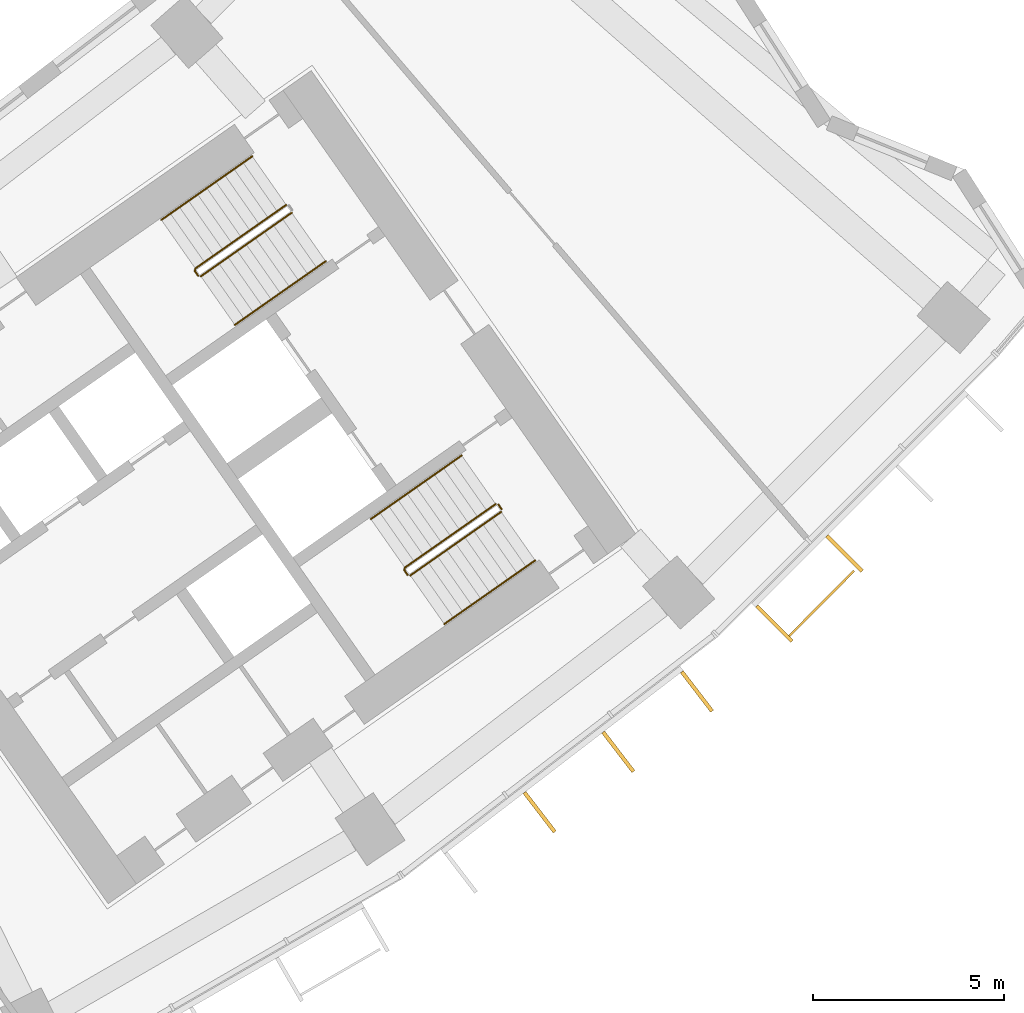
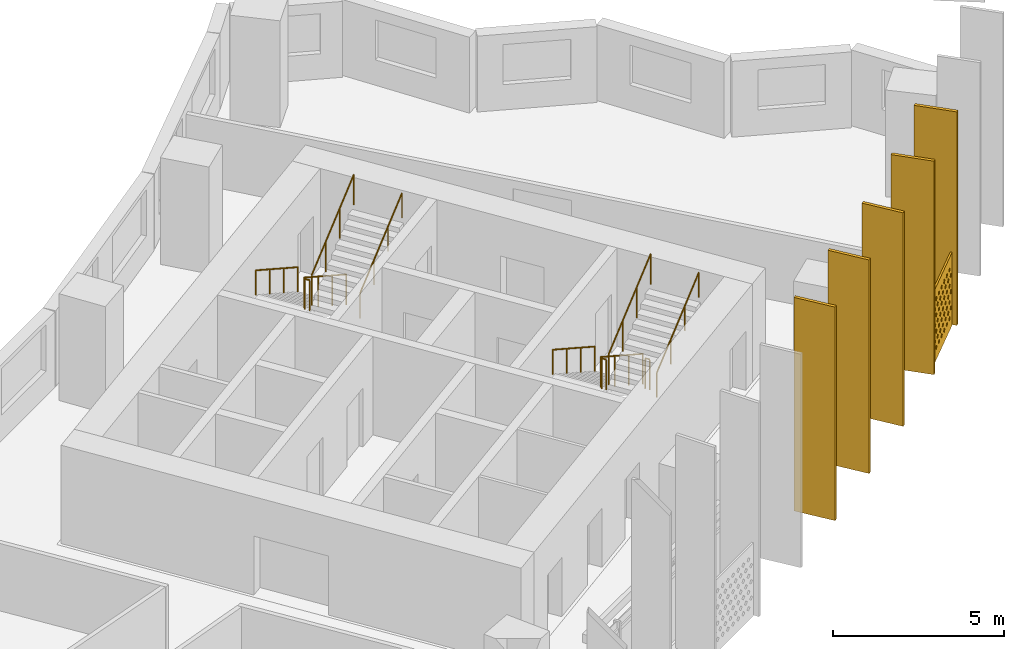
# One storey, part 29 of 30: 9 railings, 6 shading devices.
"""IFC4 building model written with IfcOpenShell, lengths in metres."""

from ifc_helpers import new_model, si_unit, direction, frame, origin, origin_2d, place, context, subcontext, project, spatial, polyline, rectangle, circle, outline, extrude, material, material_profile, profile_set, type_object, element, save


model = new_model("IFC4")

# Units and contexts
model_context = context("Model", 3, precision=1e-05, world=origin(), true_north=direction((0.0, 1.0)))
body_context = subcontext(model_context, "Body", "Model", "MODEL_VIEW")
ifc_project = project(units=[si_unit("LENGTHUNIT", "METRE"), si_unit("AREAUNIT", "SQUARE_METRE"), si_unit("VOLUMEUNIT", "CUBIC_METRE"), si_unit("PLANEANGLEUNIT", "RADIAN"), si_unit("MASSUNIT", "GRAM", prefix="KILO")], contexts=[model_context])

# Site, building, storey
site_placement = place(None, origin())
site = spatial("IfcSite", under=ifc_project, at=site_placement, CompositionType="ELEMENT")
building_placement = place(site_placement, origin())
building = spatial("IfcBuilding", under=site, at=building_placement, Name="Qamariyya Broadcast Tower", CompositionType="ELEMENT")
storey_placement = place(building_placement, frame((0.0, 0.0, 102.5)))
storey = spatial("IfcBuildingStorey", under=building, at=storey_placement, Name="L22", CompositionType="ELEMENT", Elevation=102.5)

# Shading device
ifc_material_1 = material(Name="Perforated glazed terracotta", Category="masonry")
ifc_material_profile_1 = material_profile(ifc_material_1, outline(polyline([(-1.199951171875, -1.300048828125), (1.199951171875, -1.300048828125), (1.199951171875, 1.300048828125), (-1.199951171875, 1.300048828125), (-1.199951171875, -1.300048828125)]), holes=[polyline([(-0.81494140625, -0.86669921875), (-0.89990234375, -0.78173828125), (-0.985107421875, -0.86669921875), (-0.89990234375, -0.95166015625), (-0.81494140625, -0.86669921875)]), polyline([(-0.514892578125, -0.86669921875), (-0.60009765625, -0.78173828125), (-0.68505859375, -0.86669921875), (-0.60009765625, -0.95166015625), (-0.514892578125, -0.86669921875)]), polyline([(-0.215087890625, -0.86669921875), (-0.300048828125, -0.78173828125), (-0.385009765625, -0.86669921875), (-0.300048828125, -0.95166015625), (-0.215087890625, -0.86669921875)]), polyline([(0.0849609375, -0.86669921875), (0.0, -0.78173828125), (-0.0849609375, -0.86669921875), (0.0, -0.95166015625), (0.0849609375, -0.86669921875)]), polyline([(0.385009765625, -0.86669921875), (0.300048828125, -0.78173828125), (0.215087890625, -0.86669921875), (0.300048828125, -0.95166015625), (0.385009765625, -0.86669921875)]), polyline([(0.68505859375, -0.86669921875), (0.60009765625, -0.78173828125), (0.514892578125, -0.86669921875), (0.60009765625, -0.95166015625), (0.68505859375, -0.86669921875)]), polyline([(0.985107421875, -0.86669921875), (0.89990234375, -0.78173828125), (0.81494140625, -0.86669921875), (0.89990234375, -0.95166015625), (0.985107421875, -0.86669921875)]), polyline([(-0.965087890625, -0.577880859375), (-1.050048828125, -0.49267578125), (-1.135009765625, -0.577880859375), (-1.050048828125, -0.662841796875), (-0.965087890625, -0.577880859375)]), polyline([(-0.6650390625, -0.577880859375), (-0.75, -0.49267578125), (-0.8349609375, -0.577880859375), (-0.75, -0.662841796875), (-0.6650390625, -0.577880859375)]), polyline([(-0.364990234375, -0.577880859375), (-0.449951171875, -0.49267578125), (-0.534912109375, -0.577880859375), (-0.449951171875, -0.662841796875), (-0.364990234375, -0.577880859375)]), polyline([(-0.06494140625, -0.577880859375), (-0.14990234375, -0.49267578125), (-0.235107421875, -0.577880859375), (-0.14990234375, -0.662841796875), (-0.06494140625, -0.577880859375)]), polyline([(0.235107421875, -0.577880859375), (0.14990234375, -0.49267578125), (0.06494140625, -0.577880859375), (0.14990234375, -0.662841796875), (0.235107421875, -0.577880859375)]), polyline([(0.534912109375, -0.577880859375), (0.449951171875, -0.49267578125), (0.364990234375, -0.577880859375), (0.449951171875, -0.662841796875), (0.534912109375, -0.577880859375)]), polyline([(0.8349609375, -0.577880859375), (0.75, -0.49267578125), (0.6650390625, -0.577880859375), (0.75, -0.662841796875), (0.8349609375, -0.577880859375)]), polyline([(1.135009765625, -0.577880859375), (1.050048828125, -0.49267578125), (0.965087890625, -0.577880859375), (1.050048828125, -0.662841796875), (1.135009765625, -0.577880859375)]), polyline([(-0.81494140625, -0.288818359375), (-0.89990234375, -0.203857421875), (-0.985107421875, -0.288818359375), (-0.89990234375, -0.373779296875), (-0.81494140625, -0.288818359375)]), polyline([(-0.514892578125, -0.288818359375), (-0.60009765625, -0.203857421875), (-0.68505859375, -0.288818359375), (-0.60009765625, -0.373779296875), (-0.514892578125, -0.288818359375)]), polyline([(-0.215087890625, -0.288818359375), (-0.300048828125, -0.203857421875), (-0.385009765625, -0.288818359375), (-0.300048828125, -0.373779296875), (-0.215087890625, -0.288818359375)]), polyline([(0.0849609375, -0.288818359375), (0.0, -0.203857421875), (-0.0849609375, -0.288818359375), (0.0, -0.373779296875), (0.0849609375, -0.288818359375)]), polyline([(0.385009765625, -0.288818359375), (0.300048828125, -0.203857421875), (0.215087890625, -0.288818359375), (0.300048828125, -0.373779296875), (0.385009765625, -0.288818359375)]), polyline([(0.68505859375, -0.288818359375), (0.60009765625, -0.203857421875), (0.514892578125, -0.288818359375), (0.60009765625, -0.373779296875), (0.68505859375, -0.288818359375)]), polyline([(0.985107421875, -0.288818359375), (0.89990234375, -0.203857421875), (0.81494140625, -0.288818359375), (0.89990234375, -0.373779296875), (0.985107421875, -0.288818359375)]), polyline([(-0.965087890625, 0.0), (-1.050048828125, 0.0849609375), (-1.135009765625, 0.0), (-1.050048828125, -0.0849609375), (-0.965087890625, 0.0)]), polyline([(-0.6650390625, 0.0), (-0.75, 0.0849609375), (-0.8349609375, 0.0), (-0.75, -0.0849609375), (-0.6650390625, 0.0)]), polyline([(-0.364990234375, 0.0), (-0.449951171875, 0.0849609375), (-0.534912109375, 0.0), (-0.449951171875, -0.0849609375), (-0.364990234375, 0.0)]), polyline([(-0.06494140625, 0.0), (-0.14990234375, 0.0849609375), (-0.235107421875, 0.0), (-0.14990234375, -0.0849609375), (-0.06494140625, 0.0)]), polyline([(0.235107421875, 0.0), (0.14990234375, 0.0849609375), (0.06494140625, 0.0), (0.14990234375, -0.0849609375), (0.235107421875, 0.0)]), polyline([(0.534912109375, 0.0), (0.449951171875, 0.0849609375), (0.364990234375, 0.0), (0.449951171875, -0.0849609375), (0.534912109375, 0.0)]), polyline([(0.8349609375, 0.0), (0.75, 0.0849609375), (0.6650390625, 0.0), (0.75, -0.0849609375), (0.8349609375, 0.0)]), polyline([(1.135009765625, 0.0), (1.050048828125, 0.0849609375), (0.965087890625, 0.0), (1.050048828125, -0.0849609375), (1.135009765625, 0.0)]), polyline([(-0.81494140625, 0.288818359375), (-0.89990234375, 0.373779296875), (-0.985107421875, 0.288818359375), (-0.89990234375, 0.203857421875), (-0.81494140625, 0.288818359375)]), polyline([(-0.514892578125, 0.288818359375), (-0.60009765625, 0.373779296875), (-0.68505859375, 0.288818359375), (-0.60009765625, 0.203857421875), (-0.514892578125, 0.288818359375)]), polyline([(-0.215087890625, 0.288818359375), (-0.300048828125, 0.373779296875), (-0.385009765625, 0.288818359375), (-0.300048828125, 0.203857421875), (-0.215087890625, 0.288818359375)]), polyline([(0.0849609375, 0.288818359375), (0.0, 0.373779296875), (-0.0849609375, 0.288818359375), (0.0, 0.203857421875), (0.0849609375, 0.288818359375)]), polyline([(0.385009765625, 0.288818359375), (0.300048828125, 0.373779296875), (0.215087890625, 0.288818359375), (0.300048828125, 0.203857421875), (0.385009765625, 0.288818359375)]), polyline([(0.68505859375, 0.288818359375), (0.60009765625, 0.373779296875), (0.514892578125, 0.288818359375), (0.60009765625, 0.203857421875), (0.68505859375, 0.288818359375)]), polyline([(0.985107421875, 0.288818359375), (0.89990234375, 0.373779296875), (0.81494140625, 0.288818359375), (0.89990234375, 0.203857421875), (0.985107421875, 0.288818359375)]), polyline([(-0.965087890625, 0.577880859375), (-1.050048828125, 0.662841796875), (-1.135009765625, 0.577880859375), (-1.050048828125, 0.49267578125), (-0.965087890625, 0.577880859375)]), polyline([(-0.6650390625, 0.577880859375), (-0.75, 0.662841796875), (-0.8349609375, 0.577880859375), (-0.75, 0.49267578125), (-0.6650390625, 0.577880859375)]), polyline([(-0.364990234375, 0.577880859375), (-0.449951171875, 0.662841796875), (-0.534912109375, 0.577880859375), (-0.449951171875, 0.49267578125), (-0.364990234375, 0.577880859375)]), polyline([(-0.06494140625, 0.577880859375), (-0.14990234375, 0.662841796875), (-0.235107421875, 0.577880859375), (-0.14990234375, 0.49267578125), (-0.06494140625, 0.577880859375)]), polyline([(0.235107421875, 0.577880859375), (0.14990234375, 0.662841796875), (0.06494140625, 0.577880859375), (0.14990234375, 0.49267578125), (0.235107421875, 0.577880859375)]), polyline([(0.534912109375, 0.577880859375), (0.449951171875, 0.662841796875), (0.364990234375, 0.577880859375), (0.449951171875, 0.49267578125), (0.534912109375, 0.577880859375)]), polyline([(0.8349609375, 0.577880859375), (0.75, 0.662841796875), (0.6650390625, 0.577880859375), (0.75, 0.49267578125), (0.8349609375, 0.577880859375)]), polyline([(1.135009765625, 0.577880859375), (1.050048828125, 0.662841796875), (0.965087890625, 0.577880859375), (1.050048828125, 0.49267578125), (1.135009765625, 0.577880859375)]), polyline([(-0.81494140625, 0.86669921875), (-0.89990234375, 0.95166015625), (-0.985107421875, 0.86669921875), (-0.89990234375, 0.78173828125), (-0.81494140625, 0.86669921875)]), polyline([(-0.514892578125, 0.86669921875), (-0.60009765625, 0.95166015625), (-0.68505859375, 0.86669921875), (-0.60009765625, 0.78173828125), (-0.514892578125, 0.86669921875)]), polyline([(-0.215087890625, 0.86669921875), (-0.300048828125, 0.95166015625), (-0.385009765625, 0.86669921875), (-0.300048828125, 0.78173828125), (-0.215087890625, 0.86669921875)]), polyline([(0.0849609375, 0.86669921875), (0.0, 0.95166015625), (-0.0849609375, 0.86669921875), (0.0, 0.78173828125), (0.0849609375, 0.86669921875)]), polyline([(0.385009765625, 0.86669921875), (0.300048828125, 0.95166015625), (0.215087890625, 0.86669921875), (0.300048828125, 0.78173828125), (0.385009765625, 0.86669921875)]), polyline([(0.68505859375, 0.86669921875), (0.60009765625, 0.95166015625), (0.514892578125, 0.86669921875), (0.60009765625, 0.78173828125), (0.68505859375, 0.86669921875)]), polyline([(0.985107421875, 0.86669921875), (0.89990234375, 0.95166015625), (0.81494140625, 0.86669921875), (0.89990234375, 0.78173828125), (0.985107421875, 0.86669921875)])]))
ifc_profile_set_1 = profile_set([ifc_material_profile_1], Name="Perforated glazed terracotta")
shading_device_type_1 = type_object("IfcShadingDeviceType", Name="Perforated terracotta screen 2400 x 2600", PredefinedType="USERDEFINED", material=ifc_profile_set_1)
shading_device_placement = place(storey_placement, frame((54.98486328125, -58.71826171875, 1.35009765625), z_axis=(0.709141608176, -0.705066081692, 0.0), x_axis=(0.705066081692, 0.709141608176, 0.0)))
element("IfcShadingDevice", 1, at=shading_device_placement, inside=storey, type_object=shading_device_type_1, Name="e-scr-L22-15-0", ObjectType="SCREEN", PredefinedType="USERDEFINED", context=body_context, shape_type="SweptSolid", body=[
    extrude(outline(polyline([(-1.199951171875, -1.300048828125), (1.199951171875, -1.300048828125), (1.199951171875, 1.300048828125), (-1.199951171875, 1.300048828125), (-1.199951171875, -1.300048828125)]), holes=[polyline([(-0.81494140625, -0.86669921875), (-0.89990234375, -0.78173828125), (-0.985107421875, -0.86669921875), (-0.89990234375, -0.95166015625), (-0.81494140625, -0.86669921875)]), polyline([(-0.514892578125, -0.86669921875), (-0.60009765625, -0.78173828125), (-0.68505859375, -0.86669921875), (-0.60009765625, -0.95166015625), (-0.514892578125, -0.86669921875)]), polyline([(-0.215087890625, -0.86669921875), (-0.300048828125, -0.78173828125), (-0.385009765625, -0.86669921875), (-0.300048828125, -0.95166015625), (-0.215087890625, -0.86669921875)]), polyline([(0.0849609375, -0.86669921875), (0.0, -0.78173828125), (-0.0849609375, -0.86669921875), (0.0, -0.95166015625), (0.0849609375, -0.86669921875)]), polyline([(0.385009765625, -0.86669921875), (0.300048828125, -0.78173828125), (0.215087890625, -0.86669921875), (0.300048828125, -0.95166015625), (0.385009765625, -0.86669921875)]), polyline([(0.68505859375, -0.86669921875), (0.60009765625, -0.78173828125), (0.514892578125, -0.86669921875), (0.60009765625, -0.95166015625), (0.68505859375, -0.86669921875)]), polyline([(0.985107421875, -0.86669921875), (0.89990234375, -0.78173828125), (0.81494140625, -0.86669921875), (0.89990234375, -0.95166015625), (0.985107421875, -0.86669921875)]), polyline([(-0.965087890625, -0.577880859375), (-1.050048828125, -0.49267578125), (-1.135009765625, -0.577880859375), (-1.050048828125, -0.662841796875), (-0.965087890625, -0.577880859375)]), polyline([(-0.6650390625, -0.577880859375), (-0.75, -0.49267578125), (-0.8349609375, -0.577880859375), (-0.75, -0.662841796875), (-0.6650390625, -0.577880859375)]), polyline([(-0.364990234375, -0.577880859375), (-0.449951171875, -0.49267578125), (-0.534912109375, -0.577880859375), (-0.449951171875, -0.662841796875), (-0.364990234375, -0.577880859375)]), polyline([(-0.06494140625, -0.577880859375), (-0.14990234375, -0.49267578125), (-0.235107421875, -0.577880859375), (-0.14990234375, -0.662841796875), (-0.06494140625, -0.577880859375)]), polyline([(0.235107421875, -0.577880859375), (0.14990234375, -0.49267578125), (0.06494140625, -0.577880859375), (0.14990234375, -0.662841796875), (0.235107421875, -0.577880859375)]), polyline([(0.534912109375, -0.577880859375), (0.449951171875, -0.49267578125), (0.364990234375, -0.577880859375), (0.449951171875, -0.662841796875), (0.534912109375, -0.577880859375)]), polyline([(0.8349609375, -0.577880859375), (0.75, -0.49267578125), (0.6650390625, -0.577880859375), (0.75, -0.662841796875), (0.8349609375, -0.577880859375)]), polyline([(1.135009765625, -0.577880859375), (1.050048828125, -0.49267578125), (0.965087890625, -0.577880859375), (1.050048828125, -0.662841796875), (1.135009765625, -0.577880859375)]), polyline([(-0.81494140625, -0.288818359375), (-0.89990234375, -0.203857421875), (-0.985107421875, -0.288818359375), (-0.89990234375, -0.373779296875), (-0.81494140625, -0.288818359375)]), polyline([(-0.514892578125, -0.288818359375), (-0.60009765625, -0.203857421875), (-0.68505859375, -0.288818359375), (-0.60009765625, -0.373779296875), (-0.514892578125, -0.288818359375)]), polyline([(-0.215087890625, -0.288818359375), (-0.300048828125, -0.203857421875), (-0.385009765625, -0.288818359375), (-0.300048828125, -0.373779296875), (-0.215087890625, -0.288818359375)]), polyline([(0.0849609375, -0.288818359375), (0.0, -0.203857421875), (-0.0849609375, -0.288818359375), (0.0, -0.373779296875), (0.0849609375, -0.288818359375)]), polyline([(0.385009765625, -0.288818359375), (0.300048828125, -0.203857421875), (0.215087890625, -0.288818359375), (0.300048828125, -0.373779296875), (0.385009765625, -0.288818359375)]), polyline([(0.68505859375, -0.288818359375), (0.60009765625, -0.203857421875), (0.514892578125, -0.288818359375), (0.60009765625, -0.373779296875), (0.68505859375, -0.288818359375)]), polyline([(0.985107421875, -0.288818359375), (0.89990234375, -0.203857421875), (0.81494140625, -0.288818359375), (0.89990234375, -0.373779296875), (0.985107421875, -0.288818359375)]), polyline([(-0.965087890625, 0.0), (-1.050048828125, 0.0849609375), (-1.135009765625, 0.0), (-1.050048828125, -0.0849609375), (-0.965087890625, 0.0)]), polyline([(-0.6650390625, 0.0), (-0.75, 0.0849609375), (-0.8349609375, 0.0), (-0.75, -0.0849609375), (-0.6650390625, 0.0)]), polyline([(-0.364990234375, 0.0), (-0.449951171875, 0.0849609375), (-0.534912109375, 0.0), (-0.449951171875, -0.0849609375), (-0.364990234375, 0.0)]), polyline([(-0.06494140625, 0.0), (-0.14990234375, 0.0849609375), (-0.235107421875, 0.0), (-0.14990234375, -0.0849609375), (-0.06494140625, 0.0)]), polyline([(0.235107421875, 0.0), (0.14990234375, 0.0849609375), (0.06494140625, 0.0), (0.14990234375, -0.0849609375), (0.235107421875, 0.0)]), polyline([(0.534912109375, 0.0), (0.449951171875, 0.0849609375), (0.364990234375, 0.0), (0.449951171875, -0.0849609375), (0.534912109375, 0.0)]), polyline([(0.8349609375, 0.0), (0.75, 0.0849609375), (0.6650390625, 0.0), (0.75, -0.0849609375), (0.8349609375, 0.0)]), polyline([(1.135009765625, 0.0), (1.050048828125, 0.0849609375), (0.965087890625, 0.0), (1.050048828125, -0.0849609375), (1.135009765625, 0.0)]), polyline([(-0.81494140625, 0.288818359375), (-0.89990234375, 0.373779296875), (-0.985107421875, 0.288818359375), (-0.89990234375, 0.203857421875), (-0.81494140625, 0.288818359375)]), polyline([(-0.514892578125, 0.288818359375), (-0.60009765625, 0.373779296875), (-0.68505859375, 0.288818359375), (-0.60009765625, 0.203857421875), (-0.514892578125, 0.288818359375)]), polyline([(-0.215087890625, 0.288818359375), (-0.300048828125, 0.373779296875), (-0.385009765625, 0.288818359375), (-0.300048828125, 0.203857421875), (-0.215087890625, 0.288818359375)]), polyline([(0.0849609375, 0.288818359375), (0.0, 0.373779296875), (-0.0849609375, 0.288818359375), (0.0, 0.203857421875), (0.0849609375, 0.288818359375)]), polyline([(0.385009765625, 0.288818359375), (0.300048828125, 0.373779296875), (0.215087890625, 0.288818359375), (0.300048828125, 0.203857421875), (0.385009765625, 0.288818359375)]), polyline([(0.68505859375, 0.288818359375), (0.60009765625, 0.373779296875), (0.514892578125, 0.288818359375), (0.60009765625, 0.203857421875), (0.68505859375, 0.288818359375)]), polyline([(0.985107421875, 0.288818359375), (0.89990234375, 0.373779296875), (0.81494140625, 0.288818359375), (0.89990234375, 0.203857421875), (0.985107421875, 0.288818359375)]), polyline([(-0.965087890625, 0.577880859375), (-1.050048828125, 0.662841796875), (-1.135009765625, 0.577880859375), (-1.050048828125, 0.49267578125), (-0.965087890625, 0.577880859375)]), polyline([(-0.6650390625, 0.577880859375), (-0.75, 0.662841796875), (-0.8349609375, 0.577880859375), (-0.75, 0.49267578125), (-0.6650390625, 0.577880859375)]), polyline([(-0.364990234375, 0.577880859375), (-0.449951171875, 0.662841796875), (-0.534912109375, 0.577880859375), (-0.449951171875, 0.49267578125), (-0.364990234375, 0.577880859375)]), polyline([(-0.06494140625, 0.577880859375), (-0.14990234375, 0.662841796875), (-0.235107421875, 0.577880859375), (-0.14990234375, 0.49267578125), (-0.06494140625, 0.577880859375)]), polyline([(0.235107421875, 0.577880859375), (0.14990234375, 0.662841796875), (0.06494140625, 0.577880859375), (0.14990234375, 0.49267578125), (0.235107421875, 0.577880859375)]), polyline([(0.534912109375, 0.577880859375), (0.449951171875, 0.662841796875), (0.364990234375, 0.577880859375), (0.449951171875, 0.49267578125), (0.534912109375, 0.577880859375)]), polyline([(0.8349609375, 0.577880859375), (0.75, 0.662841796875), (0.6650390625, 0.577880859375), (0.75, 0.49267578125), (0.8349609375, 0.577880859375)]), polyline([(1.135009765625, 0.577880859375), (1.050048828125, 0.662841796875), (0.965087890625, 0.577880859375), (1.050048828125, 0.49267578125), (1.135009765625, 0.577880859375)]), polyline([(-0.81494140625, 0.86669921875), (-0.89990234375, 0.95166015625), (-0.985107421875, 0.86669921875), (-0.89990234375, 0.78173828125), (-0.81494140625, 0.86669921875)]), polyline([(-0.514892578125, 0.86669921875), (-0.60009765625, 0.95166015625), (-0.68505859375, 0.86669921875), (-0.60009765625, 0.78173828125), (-0.514892578125, 0.86669921875)]), polyline([(-0.215087890625, 0.86669921875), (-0.300048828125, 0.95166015625), (-0.385009765625, 0.86669921875), (-0.300048828125, 0.78173828125), (-0.215087890625, 0.86669921875)]), polyline([(0.0849609375, 0.86669921875), (0.0, 0.95166015625), (-0.0849609375, 0.86669921875), (0.0, 0.78173828125), (0.0849609375, 0.86669921875)]), polyline([(0.385009765625, 0.86669921875), (0.300048828125, 0.95166015625), (0.215087890625, 0.86669921875), (0.300048828125, 0.78173828125), (0.385009765625, 0.86669921875)]), polyline([(0.68505859375, 0.86669921875), (0.60009765625, 0.95166015625), (0.514892578125, 0.86669921875), (0.60009765625, 0.78173828125), (0.68505859375, 0.86669921875)]), polyline([(0.985107421875, 0.86669921875), (0.89990234375, 0.95166015625), (0.81494140625, 0.86669921875), (0.89990234375, 0.78173828125), (0.985107421875, 0.86669921875)])]), origin(), (0.0, 0.0, 1.0), 0.059814453125),
])

# Railings
ifc_material_2 = material(Name="Painted steel", Category="steel")
railing_type_1 = type_object("IfcRailingType", Name="Stair guard", PredefinedType="GUARDRAIL", material=ifc_material_2)
railing_1_placement = place(storey_placement, frame((41.003173828125, -48.320068359375, 0.172607421875)))
element("IfcRailing", 2, at=railing_1_placement, inside=storey, type_object=railing_type_1, Name="L22 ST-E2 stair guard 1", PredefinedType="GUARDRAIL", context=body_context, shape_type="SweptSolid", body=[
    extrude(circle(Radius=0.02392578125, at=origin_2d()), frame((0.0, 0.0, 1.076171875), z_axis=(-0.703770094002, -0.492783725636, 0.511734163933), x_axis=(0.573575343427, -0.819152809562, 0.0)), (0.0, 0.0, 1.0), 3.37548828125),
    extrude(circle(Radius=0.02392578125, at=origin_2d()), frame((-2.37548828125, -1.663330078125, 2.80322265625), z_axis=(-0.172799478008, -0.984957024646, 0.0), x_axis=(0.984957024646, -0.172799478008, 0.0)), (0.0, 0.0, 1.0), 0.070556640625),
    extrude(circle(Radius=0.02392578125, at=origin_2d()), frame((-2.3876953125, -1.73291015625, 2.80322265625), z_axis=(0.572588637393, -0.819842821722, 0.0), x_axis=(0.819842821722, 0.572588637393, 0.0)), (0.0, 0.0, 1.0), 0.150146484375),
    extrude(circle(Radius=0.02099609375, at=origin_2d()), origin(), (0.0, 0.0, 1.0), 1.052001953125),
    extrude(circle(Radius=0.02099609375, at=origin_2d()), frame((-0.791748046875, -0.554443359375, 0.57568359375)), (0.0, 0.0, 1.0), 1.052001953125),
    extrude(circle(Radius=0.02099609375, at=origin_2d()), frame((-1.583740234375, -1.10888671875, 1.151611328125)), (0.0, 0.0, 1.0), 1.052001953125),
    extrude(circle(Radius=0.02099609375, at=origin_2d()), frame((-2.37548828125, -1.663330078125, 1.727294921875)), (0.0, 0.0, 1.0), 1.052001953125),
    extrude(circle(Radius=0.02099609375, at=origin_2d()), frame((-2.3876953125, -1.73291015625, 1.727294921875)), (0.0, 0.0, 1.0), 1.052001953125),
    extrude(circle(Radius=0.02099609375, at=origin_2d()), frame((-2.3017578125, -1.85595703125, 1.727294921875)), (0.0, 0.0, 1.0), 1.052001953125),
])
railing_2_placement = place(storey_placement, frame((38.771240234375, -50.188232421875, 2.07275390625)))
element("IfcRailing", 3, at=railing_2_placement, inside=storey, type_object=railing_type_1, Name="L22 ST-E2 stair guard 2", PredefinedType="GUARDRAIL", context=body_context, shape_type="SweptSolid", body=[
    extrude(circle(Radius=0.02392578125, at=origin_2d()), frame((0.0, 0.0, 1.076171875), z_axis=(0.703770094002, 0.492783725636, 0.511734163933), x_axis=(-0.573575343427, 0.819152809562, 0.0)), (0.0, 0.0, 1.0), 3.37548828125),
    extrude(circle(Radius=0.02099609375, at=origin_2d()), origin(), (0.0, 0.0, 1.0), 1.052001953125),
    extrude(circle(Radius=0.02099609375, at=origin_2d()), frame((0.791748046875, 0.554443359375, 0.57568359375)), (0.0, 0.0, 1.0), 1.052001953125),
    extrude(circle(Radius=0.02099609375, at=origin_2d()), frame((1.583740234375, 1.10888671875, 1.151611328125)), (0.0, 0.0, 1.0), 1.052001953125),
    extrude(circle(Radius=0.02099609375, at=origin_2d()), frame((2.37548828125, 1.663330078125, 1.727294921875)), (0.0, 0.0, 1.0), 1.052001953125),
])
railing_3_placement = place(storey_placement, frame((46.48095703125, -56.14306640625, 0.172607421875)))
element("IfcRailing", 4, at=railing_3_placement, inside=storey, type_object=railing_type_1, Name="L22 ST-E1 stair guard 1", PredefinedType="GUARDRAIL", context=body_context, shape_type="SweptSolid", body=[
    extrude(circle(Radius=0.02392578125, at=origin_2d()), frame((0.0, 0.0, 1.076171875), z_axis=(-0.703770094002, -0.492783725636, 0.511734163933), x_axis=(0.573575343427, -0.819152809562, 0.0)), (0.0, 0.0, 1.0), 3.37548828125),
    extrude(circle(Radius=0.02392578125, at=origin_2d()), frame((-2.37548828125, -1.663330078125, 2.80322265625), z_axis=(-0.176149252506, -0.984363469884, 0.0), x_axis=(0.984363469884, -0.176149252506, 0.0)), (0.0, 0.0, 1.0), 0.07080078125),
    extrude(circle(Radius=0.02392578125, at=origin_2d()), frame((-2.387939453125, -1.73291015625, 2.80322265625), z_axis=(0.574444878118, -0.818543268254, 0.0), x_axis=(0.818543268254, 0.574444878118, 0.0)), (0.0, 0.0, 1.0), 0.150146484375),
    extrude(circle(Radius=0.02099609375, at=origin_2d()), origin(), (0.0, 0.0, 1.0), 1.052001953125),
    extrude(circle(Radius=0.02099609375, at=origin_2d()), frame((-0.791748046875, -0.554443359375, 0.57568359375)), (0.0, 0.0, 1.0), 1.052001953125),
    extrude(circle(Radius=0.02099609375, at=origin_2d()), frame((-1.583740234375, -1.10888671875, 1.151611328125)), (0.0, 0.0, 1.0), 1.052001953125),
    extrude(circle(Radius=0.02099609375, at=origin_2d()), frame((-2.37548828125, -1.663330078125, 1.727294921875)), (0.0, 0.0, 1.0), 1.052001953125),
    extrude(circle(Radius=0.02099609375, at=origin_2d()), frame((-2.387939453125, -1.73291015625, 1.727294921875)), (0.0, 0.0, 1.0), 1.052001953125),
    extrude(circle(Radius=0.02099609375, at=origin_2d()), frame((-2.3017578125, -1.855712890625, 1.727294921875)), (0.0, 0.0, 1.0), 1.052001953125),
])
railing_4_placement = place(storey_placement, frame((44.248779296875, -58.01123046875, 2.07275390625)))
element("IfcRailing", 5, at=railing_4_placement, inside=storey, type_object=railing_type_1, Name="L22 ST-E1 stair guard 2", PredefinedType="GUARDRAIL", context=body_context, shape_type="SweptSolid", body=[
    extrude(circle(Radius=0.02392578125, at=origin_2d()), frame((0.0, 0.0, 1.076171875), z_axis=(0.703745009021, 0.492838488332, 0.511715923826), x_axis=(-0.573631830683, 0.819113253969, 0.0)), (0.0, 0.0, 1.0), 3.37548828125),
    extrude(circle(Radius=0.02099609375, at=origin_2d()), origin(), (0.0, 0.0, 1.0), 1.052001953125),
    extrude(circle(Radius=0.02099609375, at=origin_2d()), frame((0.791748046875, 0.554443359375, 0.57568359375)), (0.0, 0.0, 1.0), 1.052001953125),
    extrude(circle(Radius=0.02099609375, at=origin_2d()), frame((1.583740234375, 1.109130859375, 1.151611328125)), (0.0, 0.0, 1.0), 1.052001953125),
    extrude(circle(Radius=0.02099609375, at=origin_2d()), frame((2.37548828125, 1.66357421875, 1.727294921875)), (0.0, 0.0, 1.0), 1.052001953125),
])
railing_5_placement = place(storey_placement, frame((46.550537109375, -56.1552734375, 0.0)))
element("IfcRailing", 6, at=railing_5_placement, inside=storey, type_object=railing_type_1, Name="L22 ST-E1 stair guard 3", PredefinedType="GUARDRAIL", context=body_context, shape_type="SweptSolid", body=[
    extrude(circle(Radius=0.02392578125, at=origin_2d()), frame((0.0, 0.0, 1.076171875), z_axis=(0.574444878118, -0.818543268254, 0.0), x_axis=(0.818543268254, 0.574444878118, 0.0)), (0.0, 0.0, 1.0), 0.150146484375),
    extrude(circle(Radius=0.02099609375, at=origin_2d()), origin(), (0.0, 0.0, 1.0), 1.052001953125),
    extrude(circle(Radius=0.02099609375, at=origin_2d()), frame((0.086181640625, -0.122802734375, 0.0)), (0.0, 0.0, 1.0), 1.052001953125),
])
ifc_material_3 = material(Name="Stainless steel", Category="steel")
railing_type_2 = type_object("IfcRailingType", Name="Stair handrail", PredefinedType="HANDRAIL", material=ifc_material_3)
railing_6_placement = place(storey_placement, frame((40.1142578125, -47.05029296875, 0.172607421875)))
element("IfcRailing", 7, at=railing_6_placement, inside=storey, type_object=railing_type_2, Name="L22 ST-E2 stair handrail 1", PredefinedType="HANDRAIL", context=body_context, shape_type="SweptSolid", body=[
    extrude(circle(Radius=0.02392578125, at=origin_2d()), frame((0.0, 0.0, 0.8759765625), z_axis=(-0.703745009021, -0.492838488332, 0.511715923826), x_axis=(0.573631830683, -0.819113253969, 0.0)), (0.0, 0.0, 1.0), 3.37548828125),
    extrude(circle(Radius=0.02099609375, at=origin_2d()), origin(), (0.0, 0.0, 1.0), 0.851806640625),
    extrude(circle(Radius=0.02099609375, at=origin_2d()), frame((-0.791748046875, -0.554443359375, 0.57568359375)), (0.0, 0.0, 1.0), 0.851806640625),
    extrude(circle(Radius=0.02099609375, at=origin_2d()), frame((-1.583740234375, -1.109130859375, 1.151611328125)), (0.0, 0.0, 1.0), 0.851806640625),
    extrude(circle(Radius=0.02099609375, at=origin_2d()), frame((-2.37548828125, -1.66357421875, 1.727294921875)), (0.0, 0.0, 1.0), 0.851806640625),
])
railing_7_placement = place(storey_placement, frame((39.66015625, -51.4580078125, 2.07275390625)))
element("IfcRailing", 8, at=railing_7_placement, inside=storey, type_object=railing_type_2, Name="L22 ST-E2 stair handrail 2", PredefinedType="HANDRAIL", context=body_context, shape_type="SweptSolid", body=[
    extrude(circle(Radius=0.02392578125, at=origin_2d()), frame((0.0, 0.0, 0.8759765625), z_axis=(0.703745009021, 0.492838488332, 0.511715923826), x_axis=(-0.573631830683, 0.819113253969, 0.0)), (0.0, 0.0, 1.0), 3.37548828125),
    extrude(circle(Radius=0.02099609375, at=origin_2d()), origin(), (0.0, 0.0, 1.0), 0.851806640625),
    extrude(circle(Radius=0.02099609375, at=origin_2d()), frame((0.791748046875, 0.554443359375, 0.57568359375)), (0.0, 0.0, 1.0), 0.851806640625),
    extrude(circle(Radius=0.02099609375, at=origin_2d()), frame((1.583740234375, 1.109130859375, 1.151611328125)), (0.0, 0.0, 1.0), 0.851806640625),
    extrude(circle(Radius=0.02099609375, at=origin_2d()), frame((2.37548828125, 1.66357421875, 1.727294921875)), (0.0, 0.0, 1.0), 0.851806640625),
])
railing_8_placement = place(storey_placement, frame((45.591796875, -54.873291015625, 0.172607421875)))
element("IfcRailing", 9, at=railing_8_placement, inside=storey, type_object=railing_type_2, Name="L22 ST-E1 stair handrail 1", PredefinedType="HANDRAIL", context=body_context, shape_type="SweptSolid", body=[
    extrude(circle(Radius=0.02392578125, at=origin_2d()), frame((0.0, 0.0, 0.8759765625), z_axis=(-0.703770094002, -0.492783725636, 0.511734163933), x_axis=(0.573575343427, -0.819152809562, 0.0)), (0.0, 0.0, 1.0), 3.37548828125),
    extrude(circle(Radius=0.02099609375, at=origin_2d()), origin(), (0.0, 0.0, 1.0), 0.851806640625),
    extrude(circle(Radius=0.02099609375, at=origin_2d()), frame((-0.791748046875, -0.554443359375, 0.57568359375)), (0.0, 0.0, 1.0), 0.851806640625),
    extrude(circle(Radius=0.02099609375, at=origin_2d()), frame((-1.583740234375, -1.10888671875, 1.151611328125)), (0.0, 0.0, 1.0), 0.851806640625),
    extrude(circle(Radius=0.02099609375, at=origin_2d()), frame((-2.37548828125, -1.663330078125, 1.727294921875)), (0.0, 0.0, 1.0), 0.851806640625),
])
railing_9_placement = place(storey_placement, frame((45.137939453125, -59.28076171875, 2.07275390625)))
element("IfcRailing", 10, at=railing_9_placement, inside=storey, type_object=railing_type_2, Name="L22 ST-E1 stair handrail 2", PredefinedType="HANDRAIL", context=body_context, shape_type="SweptSolid", body=[
    extrude(circle(Radius=0.02392578125, at=origin_2d()), frame((0.0, 0.0, 0.8759765625), z_axis=(0.703770094002, 0.492783725636, 0.511734163933), x_axis=(-0.573575343427, 0.819152809562, 0.0)), (0.0, 0.0, 1.0), 3.37548828125),
    extrude(circle(Radius=0.02099609375, at=origin_2d()), origin(), (0.0, 0.0, 1.0), 0.851806640625),
    extrude(circle(Radius=0.02099609375, at=origin_2d()), frame((0.791748046875, 0.554443359375, 0.57568359375)), (0.0, 0.0, 1.0), 0.851806640625),
    extrude(circle(Radius=0.02099609375, at=origin_2d()), frame((1.583740234375, 1.10888671875, 1.151611328125)), (0.0, 0.0, 1.0), 0.851806640625),
    extrude(circle(Radius=0.02099609375, at=origin_2d()), frame((2.37548828125, 1.663330078125, 1.727294921875)), (0.0, 0.0, 1.0), 0.851806640625),
])

# Shading devices
ifc_material_4 = material(Name="Glazed terracotta", Category="masonry")
ifc_material_profile_2 = material_profile(ifc_material_4, rectangle(XDim=1.300048828125, YDim=0.10009765625, at=origin_2d()))
ifc_profile_set_2 = profile_set([ifc_material_profile_2], Name="Glazed terracotta")
shading_device_type_2 = type_object("IfcShadingDeviceType", Name="Terracotta fin 100 x 1300", PredefinedType="USERDEFINED", material=ifc_profile_set_2)
for number, where, z_axis, x_axis, name in (
    (11, (47.629638671875, -64.2021484375, 0.0), (0.0, 0.0, 1.0), (0.608761429009, -0.793353340291, 0.0), "e-fin-L22-14-1"),
    (12, (49.68701171875, -62.62353515625, 0.0), (0.0, 0.0, 1.0), (0.608761429009, -0.793353340291, 0.0), "e-fin-L22-14-2"),
    (13, (51.744384765625, -61.044921875, 0.0), (0.0, 0.0, 1.0), (0.608761429009, -0.793353340291, 0.0), "e-fin-L22-14-3"),
    (14, (53.7685546875, -59.269775390625, 0.0), (0.0, 0.0, 1.0), (0.707106781187, -0.707106781187, 0.0), "e-fin-L22-15-0"),
    (15, (55.602294921875, -57.43603515625, 0.0), (0.0, 0.0, 1.0), (0.707106781187, -0.707106781187, 0.0), "e-fin-L22-15-1"),
):
    element("IfcShadingDevice", number, at=place(storey_placement, frame(where, z_axis=z_axis, x_axis=x_axis)), inside=storey, type_object=shading_device_type_2, Name=name, ObjectType="FIN", PredefinedType="USERDEFINED", context=body_context, shape_type="SweptSolid", body=[
        extrude(rectangle(XDim=1.300048828125, YDim=0.10009765625, at=origin_2d()), origin(), (0.0, 0.0, 1.0), 7.60009765625),
    ])

save(model, "model.ifc")
